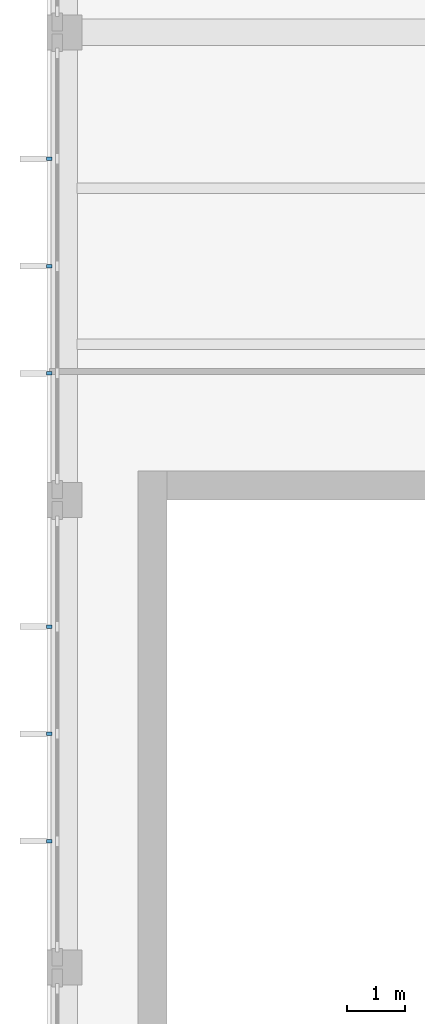
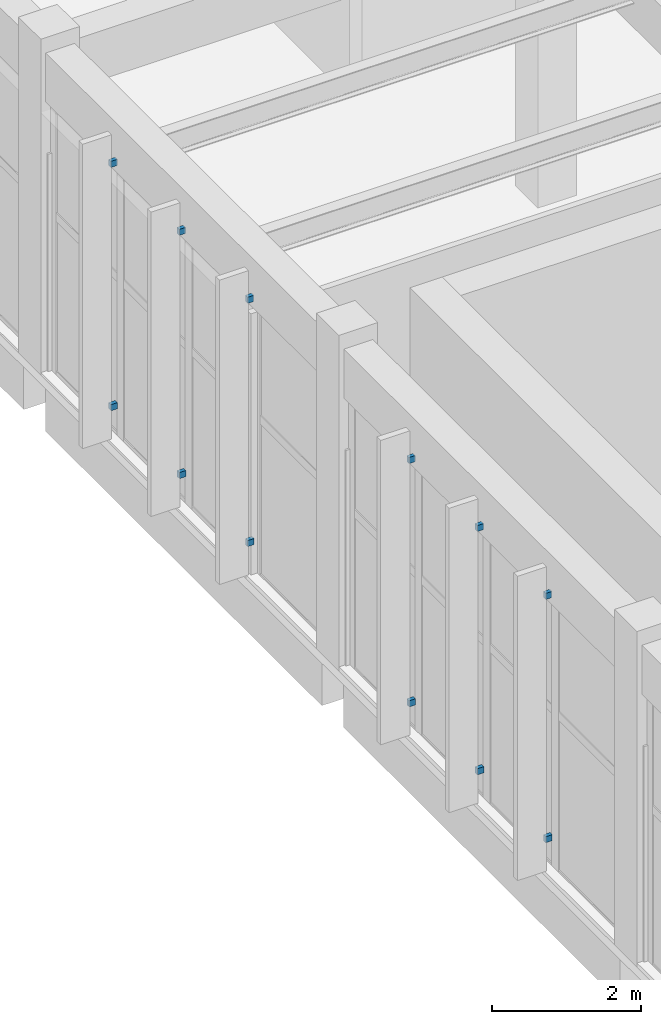
# One storey, part 75 of 94: 12 discrete accessories.
"""IFC4 building model written with IfcOpenShell, lengths in metres."""

from ifc_helpers import new_model, si_unit, direction, frame, origin, origin_2d, place, context, subcontext, project, spatial, rectangle, extrude, material, type_object, element, save


model = new_model("IFC4")

# Units and contexts
model_context = context("Model", 3, precision=1e-05, world=origin(), true_north=direction((0.0, 1.0)))
body_context = subcontext(model_context, "Body", "Model", "MODEL_VIEW")
ifc_project = project(units=[si_unit("LENGTHUNIT", "METRE"), si_unit("AREAUNIT", "SQUARE_METRE"), si_unit("VOLUMEUNIT", "CUBIC_METRE"), si_unit("PLANEANGLEUNIT", "RADIAN"), si_unit("MASSUNIT", "GRAM", prefix="KILO")], contexts=[model_context])

# Site, building, storey
site_placement = place(None, origin())
site = spatial("IfcSite", under=ifc_project, at=site_placement, CompositionType="ELEMENT")
building_placement = place(site_placement, origin())
building = spatial("IfcBuilding", under=site, at=building_placement, Name="Lunette Opera House", CompositionType="ELEMENT")
storey_placement = place(building_placement, frame((0.0, 0.0, 22.5)))
storey = spatial("IfcBuildingStorey", under=building, at=storey_placement, Name="L04", CompositionType="ELEMENT", Elevation=22.5)

# Discrete accessories
ifc_material = material(Name="Galvanised steel", Category="steel")
discrete_accessory_type = type_object("IfcDiscreteAccessoryType", Name="FIN BRACKET STEEL", PredefinedType="BRACKET", material=ifc_material)
for number, where, z_axis, x_axis, name in (
    (1, (8.0419921875, 93.8349609375, 0.56494140625), (0.0, 0.0, 1.0), (-1.0, 0.0, 0.0), "Fin bracket RW-X2063 1 1"),
    (2, (8.0419921875, 93.8349609375, 4.550048828125), (0.0, 0.0, 1.0), (-1.0, 0.0, 0.0), "Fin bracket RW-X2063 1 2"),
    (3, (8.0419921875, 92.0, 0.56494140625), (0.0, 0.0, 1.0), (-1.0, 0.0, 0.0), "Fin bracket RW-X2063 2 1"),
    (4, (8.0419921875, 92.0, 4.550048828125), (0.0, 0.0, 1.0), (-1.0, 0.0, 0.0), "Fin bracket RW-X2063 2 2"),
    (5, (8.0419921875, 90.1650390625, 0.56494140625), (0.0, 0.0, 1.0), (-1.0, 0.0, 0.0), "Fin bracket RW-X2063 3 1"),
    (6, (8.0419921875, 90.1650390625, 4.550048828125), (0.0, 0.0, 1.0), (-1.0, 0.0, 0.0), "Fin bracket RW-X2063 3 2"),
    (7, (8.0419921875, 85.8349609375, 0.56494140625), (0.0, 0.0, 1.0), (-1.0, 0.0, 0.0), "Fin bracket RW-X2064 1 1"),
    (8, (8.0419921875, 85.8349609375, 4.550048828125), (0.0, 0.0, 1.0), (-1.0, 0.0, 0.0), "Fin bracket RW-X2064 1 2"),
    (9, (8.0419921875, 84.0, 0.56494140625), (0.0, 0.0, 1.0), (-1.0, 0.0, 0.0), "Fin bracket RW-X2064 2 1"),
    (10, (8.0419921875, 84.0, 4.550048828125), (0.0, 0.0, 1.0), (-1.0, 0.0, 0.0), "Fin bracket RW-X2064 2 2"),
    (11, (8.0419921875, 82.1650390625, 0.56494140625), (0.0, 0.0, 1.0), (-1.0, 0.0, 0.0), "Fin bracket RW-X2064 3 1"),
    (12, (8.0419921875, 82.1650390625, 4.550048828125), (0.0, 0.0, 1.0), (-1.0, 0.0, 0.0), "Fin bracket RW-X2064 3 2"),
):
    element("IfcDiscreteAccessory", number, at=place(storey_placement, frame(where, z_axis=z_axis, x_axis=x_axis)), inside=storey, type_object=discrete_accessory_type, Name=name, PredefinedType="BRACKET", context=body_context, shape_type="SweptSolid", body=[
        extrude(rectangle(XDim=0.10009765625, YDim=0.06005859375, at=origin_2d()), origin(), (0.0, 0.0, 1.0), 0.10009765625),
    ])

save(model, "model.ifc")
